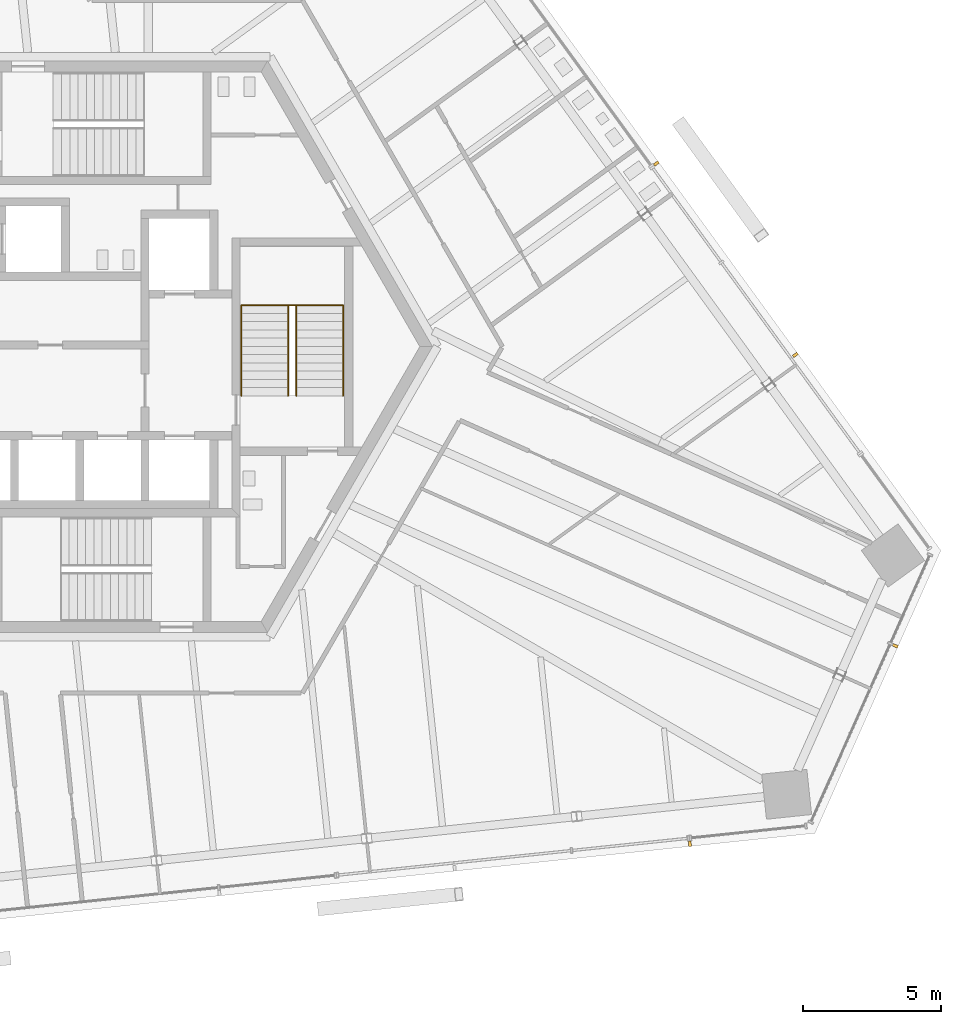
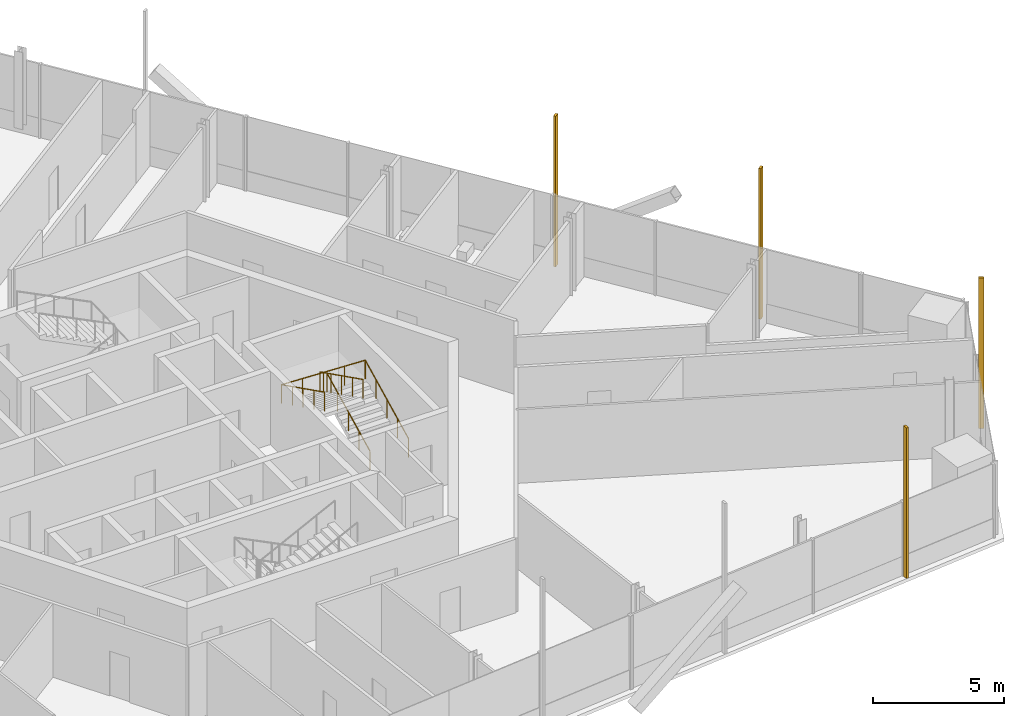
# One storey, part 17 of 21: 4 shading devices, 2 railings.
"""IFC4 building model written with IfcOpenShell, lengths in metres."""

from ifc_helpers import new_model, si_unit, direction, frame, origin, origin_2d, place, context, subcontext, project, spatial, rectangle, circle, extrude, source, transform, mapped, material, type_object, element, save


model = new_model("IFC4")

# Units and contexts
model_context = context("Model", 3, precision=1e-05, world=origin(), true_north=direction((0.0, 1.0)))
body_context = subcontext(model_context, "Body", "Model", "MODEL_VIEW")
ifc_project = project(units=[si_unit("LENGTHUNIT", "METRE"), si_unit("AREAUNIT", "SQUARE_METRE"), si_unit("VOLUMEUNIT", "CUBIC_METRE"), si_unit("PLANEANGLEUNIT", "RADIAN"), si_unit("MASSUNIT", "GRAM", prefix="KILO")], contexts=[model_context])

# Site, building, storey
site_placement = place(None, origin())
site = spatial("IfcSite", under=ifc_project, at=site_placement, CompositionType="ELEMENT")
building_placement = place(site_placement, origin())
building = spatial("IfcBuilding", under=site, at=building_placement, Name="Triune Harvest Tower", CompositionType="ELEMENT")
storey_placement = place(building_placement, frame((0.0, 0.0, 241.300048828125)))
storey = spatial("IfcBuildingStorey", under=building, at=storey_placement, Name="L63", CompositionType="ELEMENT", Elevation=241.300048828125)

# Railings
ifc_material_1 = material(Name="Stainless steel AISI 316", Category="steel")
railing_type = type_object("IfcRailingType", Name="Stair handrail", PredefinedType="HANDRAIL", material=ifc_material_1)
shared_shape_1 = source(origin(), body_context, "Body", "SweptSolid", [
    extrude(circle(Radius=0.02392578125, at=origin_2d()), frame((0.0, 0.0, 0.8759765625), z_axis=(0.0, 0.894413956696, 0.447240063129), x_axis=(-1.0, 0.0, 0.0)), (0.0, 0.0, 1.0), 3.689697265625),
    extrude(circle(Radius=0.02392578125, at=origin_2d()), frame((0.0, 3.300048828125, 2.52587890625), z_axis=(-0.999180289278, 0.0, 0.040481471304), x_axis=(0.0, -1.0, 0.0)), (0.0, 0.0, 1.0), 3.702880859375),
    extrude(circle(Radius=0.02392578125, at=origin_2d()), frame((-3.699951171875, 3.300048828125, 2.67578125), z_axis=(0.0, -0.894440424912, 0.447187126696), x_axis=(1.0, 0.0, 0.0)), (0.0, 0.0, 1.0), 3.689453125),
    extrude(circle(Radius=0.02099609375, at=origin_2d()), origin(), (0.0, 0.0, 1.0), 0.851806640625),
    extrude(circle(Radius=0.02099609375, at=origin_2d()), frame((0.0, 0.824951171875, 0.41259765625)), (0.0, 0.0, 1.0), 0.851806640625),
    extrude(circle(Radius=0.02099609375, at=origin_2d()), frame((0.0, 1.64990234375, 0.8251953125)), (0.0, 0.0, 1.0), 0.851806640625),
    extrude(circle(Radius=0.02099609375, at=origin_2d()), frame((0.0, 2.47509765625, 1.237548828125)), (0.0, 0.0, 1.0), 0.851806640625),
    extrude(circle(Radius=0.02099609375, at=origin_2d()), frame((0.0, 3.300048828125, 1.650146484375)), (0.0, 0.0, 1.0), 0.851806640625),
    extrude(circle(Radius=0.02099609375, at=origin_2d()), frame((-0.925048828125, 3.300048828125, 1.6875)), (0.0, 0.0, 1.0), 0.851806640625),
    extrude(circle(Radius=0.02099609375, at=origin_2d()), frame((-1.85009765625, 3.300048828125, 1.72509765625)), (0.0, 0.0, 1.0), 0.851806640625),
    extrude(circle(Radius=0.02099609375, at=origin_2d()), frame((-2.77490234375, 3.300048828125, 1.7626953125)), (0.0, 0.0, 1.0), 0.851806640625),
    extrude(circle(Radius=0.02099609375, at=origin_2d()), frame((-3.699951171875, 3.300048828125, 1.800048828125)), (0.0, 0.0, 1.0), 0.851806640625),
    extrude(circle(Radius=0.02099609375, at=origin_2d()), frame((-3.699951171875, 2.47509765625, 2.21240234375)), (0.0, 0.0, 1.0), 0.851806640625),
    extrude(circle(Radius=0.02099609375, at=origin_2d()), frame((-3.699951171875, 1.64990234375, 2.625)), (0.0, 0.0, 1.0), 0.851806640625),
    extrude(circle(Radius=0.02099609375, at=origin_2d()), frame((-3.699951171875, 0.824951171875, 3.03759765625)), (0.0, 0.0, 1.0), 0.851806640625),
    extrude(circle(Radius=0.02099609375, at=origin_2d()), frame((-3.699951171875, 0.0, 3.449951171875)), (0.0, 0.0, 1.0), 0.851806640625),
])
railing_1_placement = place(storey_placement, frame((8.75, -1.7900390625, 0.14990234375)))
element("IfcRailing", 1, at=railing_1_placement, inside=storey, type_object=railing_type, Name="Exit stair east wall handrail", PredefinedType="HANDRAIL", context=body_context, shape_type="MappedRepresentation", body=[
    mapped(shared_shape_1, transform((0.0, 0.0, 0.0), scale=1.0)),
])
shared_shape_2 = source(origin(), body_context, "Body", "SweptSolid", [
    extrude(circle(Radius=0.02392578125, at=origin_2d()), frame((0.0, 0.0, 0.8759765625), z_axis=(0.0, 0.894413956696, 0.447240063129), x_axis=(-1.0, 0.0, 0.0)), (0.0, 0.0, 1.0), 3.689697265625),
    extrude(circle(Radius=0.02392578125, at=origin_2d()), frame((0.0, 3.300048828125, 2.52587890625), z_axis=(-0.894572720946, 0.0, 0.446922417137), x_axis=(0.0, -1.0, 0.0)), (0.0, 0.0, 1.0), 0.33544921875),
    extrude(circle(Radius=0.02392578125, at=origin_2d()), frame((-0.300048828125, 3.300048828125, 2.67578125), z_axis=(0.0, -0.894440424912, 0.447187126696), x_axis=(1.0, 0.0, 0.0)), (0.0, 0.0, 1.0), 3.689453125),
    extrude(circle(Radius=0.02099609375, at=origin_2d()), origin(), (0.0, 0.0, 1.0), 0.851806640625),
    extrude(circle(Radius=0.02099609375, at=origin_2d()), frame((0.0, 0.824951171875, 0.41259765625)), (0.0, 0.0, 1.0), 0.851806640625),
    extrude(circle(Radius=0.02099609375, at=origin_2d()), frame((0.0, 1.64990234375, 0.8251953125)), (0.0, 0.0, 1.0), 0.851806640625),
    extrude(circle(Radius=0.02099609375, at=origin_2d()), frame((0.0, 2.47509765625, 1.237548828125)), (0.0, 0.0, 1.0), 0.851806640625),
    extrude(circle(Radius=0.02099609375, at=origin_2d()), frame((0.0, 3.300048828125, 1.650146484375)), (0.0, 0.0, 1.0), 0.851806640625),
    extrude(circle(Radius=0.02099609375, at=origin_2d()), frame((-0.300048828125, 3.300048828125, 1.800048828125)), (0.0, 0.0, 1.0), 0.851806640625),
    extrude(circle(Radius=0.02099609375, at=origin_2d()), frame((-0.300048828125, 2.47509765625, 2.21240234375)), (0.0, 0.0, 1.0), 0.851806640625),
    extrude(circle(Radius=0.02099609375, at=origin_2d()), frame((-0.300048828125, 1.64990234375, 2.625)), (0.0, 0.0, 1.0), 0.851806640625),
    extrude(circle(Radius=0.02099609375, at=origin_2d()), frame((-0.300048828125, 0.824951171875, 3.03759765625)), (0.0, 0.0, 1.0), 0.851806640625),
    extrude(circle(Radius=0.02099609375, at=origin_2d()), frame((-0.300048828125, 0.0, 3.449951171875)), (0.0, 0.0, 1.0), 0.851806640625),
])
railing_2_placement = place(storey_placement, frame((7.050048828125, -1.7900390625, 0.14990234375)))
element("IfcRailing", 2, at=railing_2_placement, inside=storey, type_object=railing_type, Name="Exit stair east centre handrail", PredefinedType="HANDRAIL", context=body_context, shape_type="MappedRepresentation", body=[
    mapped(shared_shape_2, transform((0.0, 0.0, 0.0), scale=1.0)),
])

# Shading devices
ifc_material_2 = material(Name="Aluminium bronze anodised", Category="aluminium")
shared_shape_3 = source(origin(), body_context, "Body", "SweptSolid", [
    extrude(rectangle(XDim=0.10009765625, YDim=0.199951171875, at=origin_2d()), origin(), (0.0, 0.0, 1.0), 7.0400390625),
])
for number, where, z_axis, x_axis, name in (
    (3, (25.191162109375, -0.300537109375, 0.0), (0.0, 0.0, 1.0), (-0.587785672066, 0.809016689391, 0.0), "FN-1 fin B6-F1.3 L63"),
    (4, (20.13623046875, 6.6572265625, 0.0), (0.0, 0.0, 1.0), (-0.587785672066, 0.809016689391, 0.0), "FN-1 fin B6-F1.5 L63"),
    (5, (21.35595703125, -18.070068359375, 0.0), (0.0, 0.0, 1.0), (0.994521747579, 0.104529869379, 0.0), "FN-1 fin B6-F5.11 L63"),
    (6, (28.8291015625, -10.87841796875, 0.0), (0.0, 0.0, 1.0), (0.406743216086, 0.913542531121, 0.0), "FN-1 fin B6-F6.3 L63"),
):
    element("IfcShadingDevice", number, at=place(storey_placement, frame(where, z_axis=z_axis, x_axis=x_axis)), inside=storey, material=ifc_material_2, Name=name, ObjectType="FIN", PredefinedType="USERDEFINED", context=body_context, shape_type="MappedRepresentation", body=[
        mapped(shared_shape_3, transform((0.0, 0.0, 0.0), scale=1.0)),
    ])

save(model, "model.ifc")
